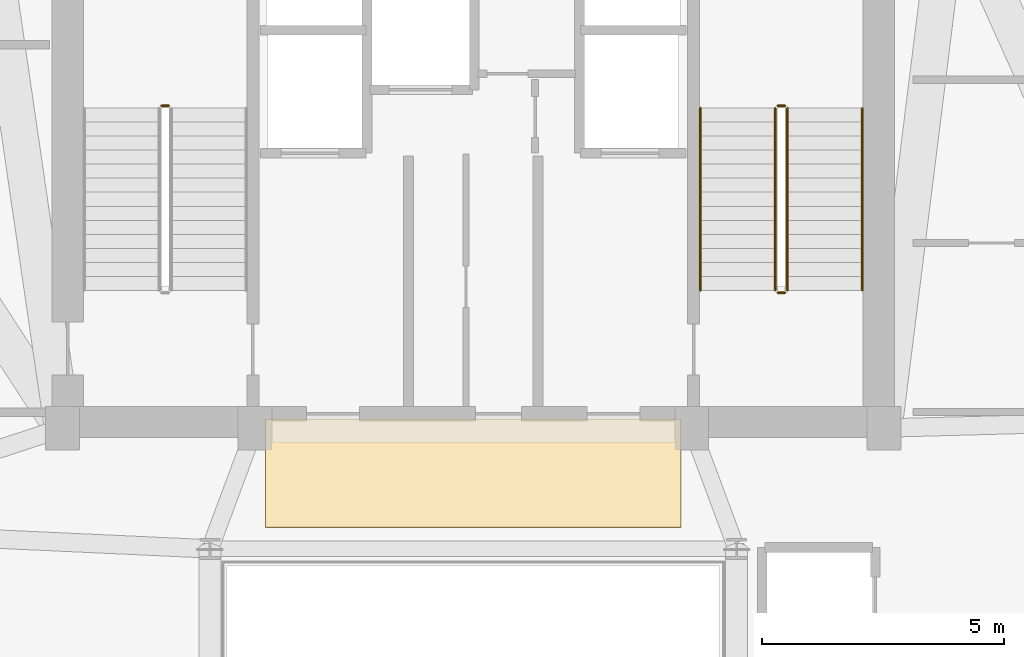
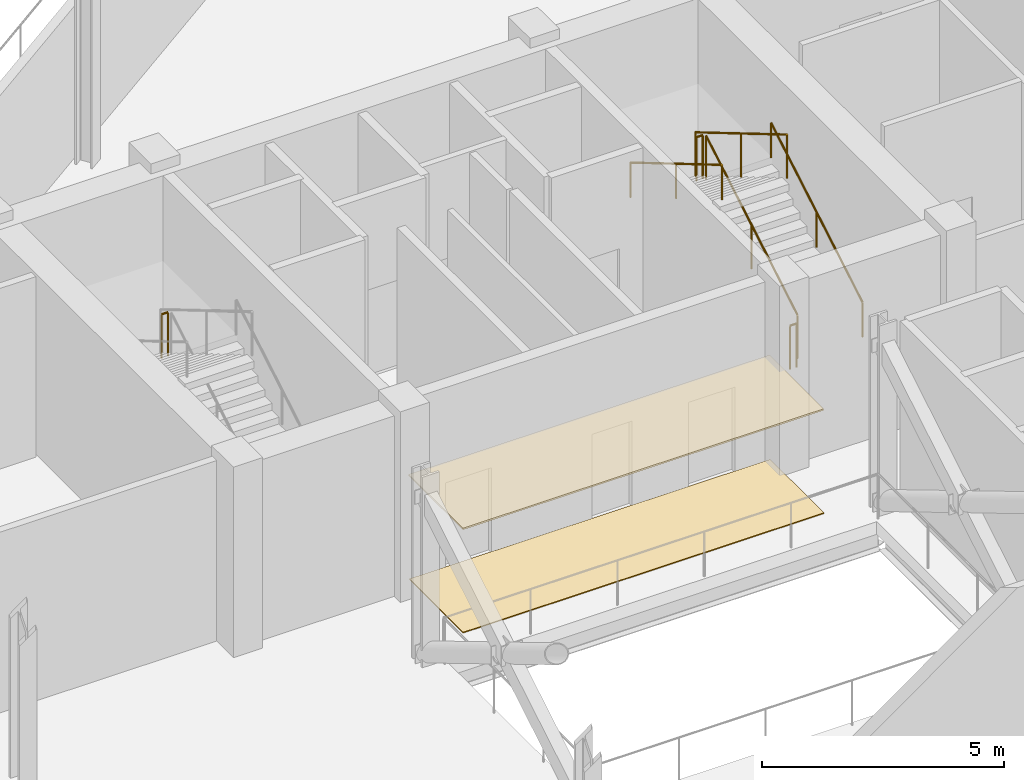
# One storey, part 13 of 13: 7 railings, 2 coverings.
"""IFC4 building model written with IfcOpenShell, lengths in metres."""

from ifc_helpers import new_model, si_unit, direction, frame, origin, origin_2d, place, context, subcontext, project, spatial, rectangle, circle, extrude, source, transform, mapped, material, layer, layer_set, type_object, element, save


model = new_model("IFC4")

# Units and contexts
model_context = context("Model", 3, precision=1e-05, world=origin(), true_north=direction((0.0, 1.0)))
body_context = subcontext(model_context, "Body", "Model", "MODEL_VIEW")
ifc_project = project(units=[si_unit("LENGTHUNIT", "METRE"), si_unit("AREAUNIT", "SQUARE_METRE"), si_unit("VOLUMEUNIT", "CUBIC_METRE"), si_unit("PLANEANGLEUNIT", "RADIAN"), si_unit("MASSUNIT", "GRAM", prefix="KILO")], contexts=[model_context])

# Site, building, storey
site_placement = place(None, origin())
site = spatial("IfcSite", under=ifc_project, at=site_placement, CompositionType="ELEMENT")
building_placement = place(site_placement, origin())
building = spatial("IfcBuilding", under=site, at=building_placement, Name="Varnelok Gate Tower", CompositionType="ELEMENT")
storey_placement = place(building_placement, frame((0.0, 0.0, 253.39990234375)))
storey = spatial("IfcBuildingStorey", under=building, at=storey_placement, Name="L65", CompositionType="ELEMENT", Elevation=253.39990234375)

# Railings
ifc_material_1 = material(Name="Brushed Stainless Steel AISI 316", Category="steel")
railing_type_1 = type_object("IfcRailingType", Name="RL-HANDRAIL-900", PredefinedType="HANDRAIL", material=ifc_material_1)
railing_1_placement = place(storey_placement, frame((47.25, 31.60009765625, 0.171630859375)))
element("IfcRailing", 1, at=railing_1_placement, inside=storey, type_object=railing_type_1, Name="L65 ST-2 stair handrail 1", PredefinedType="HANDRAIL", context=body_context, shape_type="SweptSolid", body=[
    extrude(circle(Radius=0.02392578125, at=origin_2d()), frame((0.0, 0.0, 0.8759765625), z_axis=(0.0, 0.860848830602, 0.508860777473), x_axis=(-1.0, 0.0, 0.0)), (0.0, 0.0, 1.0), 4.37939453125),
    extrude(circle(Radius=0.02099609375, at=origin_2d()), origin(), (0.0, 0.0, 1.0), 0.851806640625),
    extrude(circle(Radius=0.02099609375, at=origin_2d()), frame((0.0, 1.885009765625, 1.1142578125)), (0.0, 0.0, 1.0), 0.851806640625),
    extrude(circle(Radius=0.02099609375, at=origin_2d()), frame((0.0, 3.77001953125, 2.228515625)), (0.0, 0.0, 1.0), 0.851806640625),
])
railing_2_placement = place(storey_placement, frame((43.89990234375, 35.3701171875, 2.571533203125)))
element("IfcRailing", 2, at=railing_2_placement, inside=storey, type_object=railing_type_1, Name="L65 ST-2 stair handrail 2", PredefinedType="HANDRAIL", context=body_context, shape_type="SweptSolid", body=[
    extrude(circle(Radius=0.02392578125, at=origin_2d()), frame((0.0, 0.0, 0.8759765625), z_axis=(0.0, -0.860848830602, 0.508860777473), x_axis=(1.0, 0.0, 0.0)), (0.0, 0.0, 1.0), 4.37939453125),
    extrude(circle(Radius=0.02099609375, at=origin_2d()), origin(), (0.0, 0.0, 1.0), 0.851806640625),
    extrude(circle(Radius=0.02099609375, at=origin_2d()), frame((0.0, -1.885009765625, 1.1142578125)), (0.0, 0.0, 1.0), 0.851806640625),
    extrude(circle(Radius=0.02099609375, at=origin_2d()), frame((0.0, -3.77001953125, 2.228515625)), (0.0, 0.0, 1.0), 0.851806640625),
])
ifc_material_2 = material(Name="Galvanized Steel Grade S350GD", Category="steel")
railing_type_2 = type_object("IfcRailingType", Name="RL-STAIR-GUARD1120", PredefinedType="GUARDRAIL", material=ifc_material_2)
railing_3_placement = place(storey_placement, frame((32.89990234375, 35.419921875, 2.400146484375)))
element("IfcRailing", 3, at=railing_3_placement, inside=storey, type_object=railing_type_2, Name="L65 ST-1 stair guard 2", PredefinedType="GUARDRAIL", context=body_context, shape_type="SweptSolid", body=[
    extrude(circle(Radius=0.02392578125, at=origin_2d()), frame((0.0, 0.0, 1.09619140625), z_axis=(-1.0, 0.0, 0.0), x_axis=(0.0, -1.0, 0.0)), (0.0, 0.0, 1.0), 0.14990234375),
    extrude(circle(Radius=0.02099609375, at=origin_2d()), origin(), (0.0, 0.0, 1.0), 1.072021484375),
    extrude(circle(Radius=0.02099609375, at=origin_2d()), frame((-0.14990234375, 0.0, 0.0)), (0.0, 0.0, 1.0), 1.072021484375),
])
railing_4_placement = place(storey_placement, frame((45.699951171875, 31.60009765625, 0.171630859375)))
element("IfcRailing", 4, at=railing_4_placement, inside=storey, type_object=railing_type_2, Name="L65 ST-2 stair guard 1", PredefinedType="GUARDRAIL", context=body_context, shape_type="SweptSolid", body=[
    extrude(circle(Radius=0.02392578125, at=origin_2d()), frame((0.0, 0.0, 1.09619140625), z_axis=(0.0, 0.860848830602, 0.508860777473), x_axis=(-1.0, 0.0, 0.0)), (0.0, 0.0, 1.0), 4.37939453125),
    extrude(circle(Radius=0.02099609375, at=origin_2d()), origin(), (0.0, 0.0, 1.0), 1.072021484375),
    extrude(circle(Radius=0.02099609375, at=origin_2d()), frame((0.0, 1.885009765625, 1.1142578125)), (0.0, 0.0, 1.0), 1.072021484375),
    extrude(circle(Radius=0.02099609375, at=origin_2d()), frame((0.0, 3.77001953125, 2.228515625)), (0.0, 0.0, 1.0), 1.072021484375),
])
railing_5_placement = place(storey_placement, frame((45.64990234375, 35.419921875, 2.400146484375)))
element("IfcRailing", 5, at=railing_5_placement, inside=storey, type_object=railing_type_2, Name="L65 ST-2 stair guard 2", PredefinedType="GUARDRAIL", context=body_context, shape_type="SweptSolid", body=[
    extrude(circle(Radius=0.02392578125, at=origin_2d()), frame((0.0, 0.0, 1.09619140625), z_axis=(-1.0, 0.0, 0.0), x_axis=(0.0, -1.0, 0.0)), (0.0, 0.0, 1.0), 0.14990234375),
    extrude(circle(Radius=0.02099609375, at=origin_2d()), origin(), (0.0, 0.0, 1.0), 1.072021484375),
    extrude(circle(Radius=0.02099609375, at=origin_2d()), frame((-0.14990234375, 0.0, 0.0)), (0.0, 0.0, 1.0), 1.072021484375),
])
railing_6_placement = place(storey_placement, frame((45.449951171875, 35.3701171875, 2.571533203125)))
element("IfcRailing", 6, at=railing_6_placement, inside=storey, type_object=railing_type_2, Name="L65 ST-2 stair guard 3", PredefinedType="GUARDRAIL", context=body_context, shape_type="SweptSolid", body=[
    extrude(circle(Radius=0.02392578125, at=origin_2d()), frame((0.0, 0.0, 1.09619140625), z_axis=(0.0, -0.860848830602, 0.508860777473), x_axis=(1.0, 0.0, 0.0)), (0.0, 0.0, 1.0), 4.37939453125),
    extrude(circle(Radius=0.02099609375, at=origin_2d()), origin(), (0.0, 0.0, 1.0), 1.072021484375),
    extrude(circle(Radius=0.02099609375, at=origin_2d()), frame((0.0, -1.885009765625, 1.1142578125)), (0.0, 0.0, 1.0), 1.072021484375),
    extrude(circle(Radius=0.02099609375, at=origin_2d()), frame((0.0, -3.77001953125, 2.228515625)), (0.0, 0.0, 1.0), 1.072021484375),
])
railing_7_placement = place(storey_placement, frame((45.64990234375, 31.550048828125, 0.0)))
element("IfcRailing", 7, at=railing_7_placement, inside=storey, type_object=railing_type_2, Name="L65 ST-2 stair guard 4", PredefinedType="GUARDRAIL", context=body_context, shape_type="SweptSolid", body=[
    extrude(circle(Radius=0.02392578125, at=origin_2d()), frame((0.0, 0.0, 1.09619140625), z_axis=(-1.0, 0.0, 0.0), x_axis=(0.0, -1.0, 0.0)), (0.0, 0.0, 1.0), 0.14990234375),
    extrude(circle(Radius=0.02099609375, at=origin_2d()), origin(), (0.0, 0.0, 1.0), 1.072021484375),
    extrude(circle(Radius=0.02099609375, at=origin_2d()), frame((-0.14990234375, 0.0, 0.0)), (0.0, 0.0, 1.0), 1.072021484375),
])

# Coverings
ifc_material_3 = material(Name="Honed Travertine Stone Flooring", Category="masonry")
ifc_layer_1 = layer(ifc_material_3, 0.02490234375)
ifc_layer_set_1 = layer_set([ifc_layer_1], Name="Honed Travertine Stone Flooring")
covering_type_1 = type_object("IfcCoveringType", Name="COV-FLOR-STONE", PredefinedType="FLOORING", material=ifc_layer_set_1)
shared_shape_1 = source(origin(), body_context, "Body", "SweptSolid", [
    extrude(rectangle(XDim=8.60009765625, YDim=2.219970703125, at=origin_2d()), origin(), (0.0, 0.0, 1.0), 0.02490234375),
])
covering_1_placement = place(storey_placement, frame((39.199951171875, 27.800048828125, 0.000244140625), z_axis=(0.0, 0.0, 1.0), x_axis=(1.0, 0.0, 0.0)))
element("IfcCovering", 8, at=covering_1_placement, inside=storey, type_object=covering_type_1, Name="L65 Core Gallery Stone Flooring", PredefinedType="FLOORING", context=body_context, shape_type="MappedRepresentation", body=[
    mapped(shared_shape_1, transform((0.0, 0.0, 0.0), scale=1.0)),
])
ifc_material_4 = material(Name="Mineral Fiber Acoustic Ceiling Tile")
ifc_layer_2 = layer(ifc_material_4, 0.0400390625)
ifc_layer_set_2 = layer_set([ifc_layer_2], Name="Mineral Fiber Acoustic Ceiling Tile")
covering_type_2 = type_object("IfcCoveringType", Name="COV-CEIL-ACOUST", PredefinedType="CEILING", material=ifc_layer_set_2)
shared_shape_2 = source(origin(), body_context, "Body", "SweptSolid", [
    extrude(rectangle(XDim=8.60009765625, YDim=2.239990234375, at=origin_2d()), origin(), (0.0, 0.0, 1.0), 0.0400390625),
])
covering_2_placement = place(storey_placement, frame((39.199951171875, 27.820068359375, 2.60009765625), z_axis=(0.0, 0.0, 1.0), x_axis=(1.0, 0.0, 0.0)))
element("IfcCovering", 9, at=covering_2_placement, inside=storey, type_object=covering_type_2, Name="L65 Core Gallery Acoustic Ceiling", PredefinedType="CEILING", context=body_context, shape_type="MappedRepresentation", body=[
    mapped(shared_shape_2, transform((0.0, 0.0, 0.0), scale=1.0)),
])

save(model, "model.ifc")
